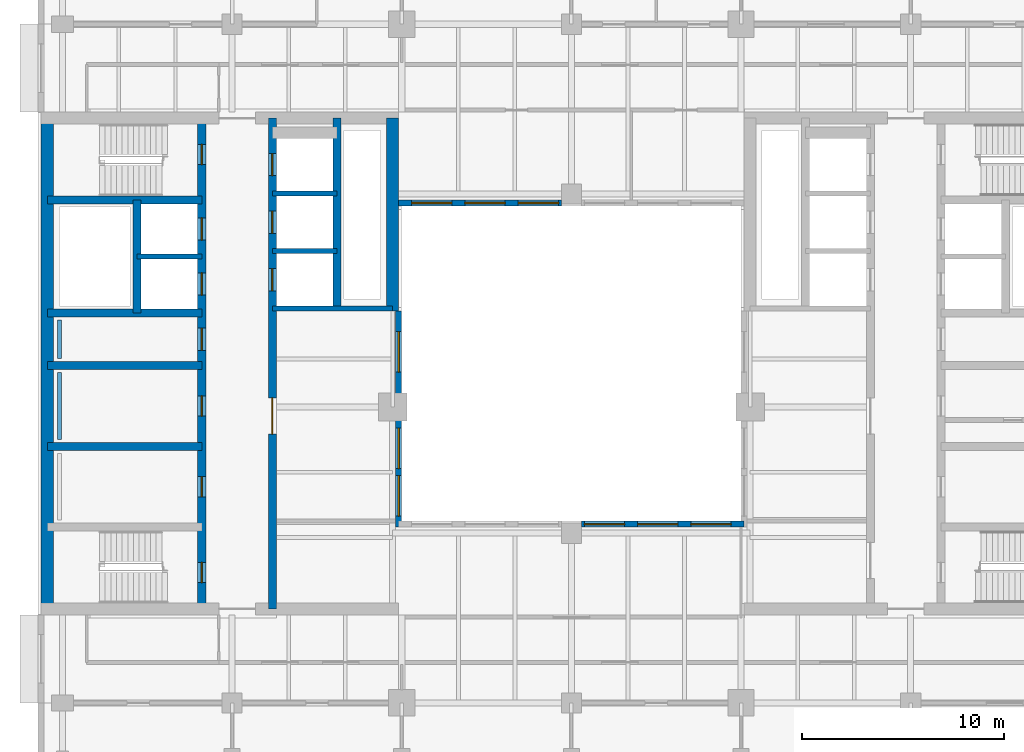
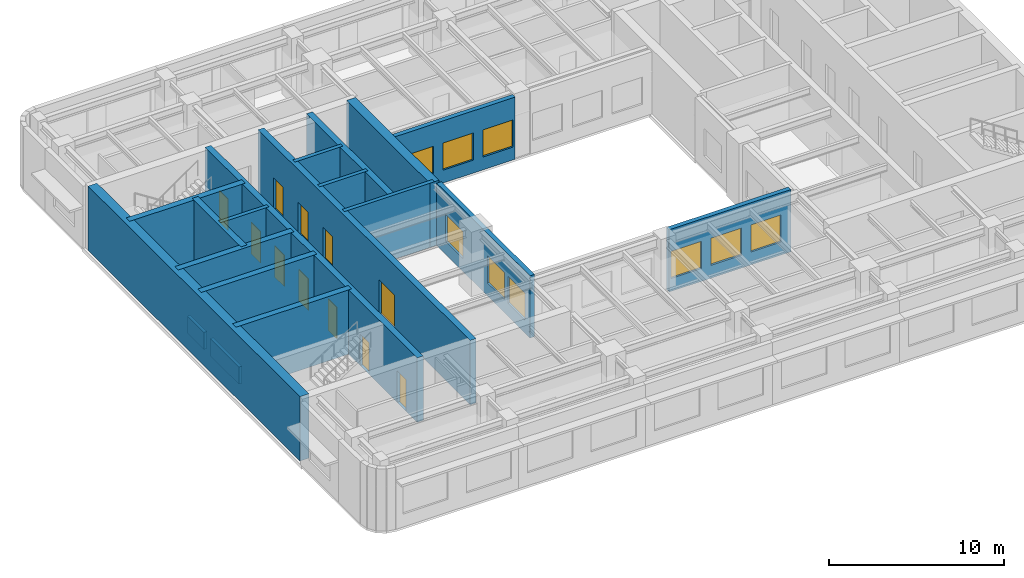
# One storey, part 4 of 11: 19 walls, 11 doors, 9 windows, 20 openings.
"""IFC4 building model written with IfcOpenShell, lengths in metres."""

from ifc_helpers import new_model, si_unit, direction, frame, frame_2d, origin, place, context, subcontext, project, spatial, rectangle, extrude, material, layer, layer_set, type_object, element, fill, save


model = new_model("IFC4")

# Units and contexts
model_context = context("Model", 3, precision=1e-05, world=origin(), true_north=direction((0.0, 1.0)))
body_context = subcontext(model_context, "Body", "Model", "MODEL_VIEW")
ifc_project = project(units=[si_unit("LENGTHUNIT", "METRE"), si_unit("AREAUNIT", "SQUARE_METRE"), si_unit("VOLUMEUNIT", "CUBIC_METRE"), si_unit("PLANEANGLEUNIT", "RADIAN"), si_unit("MASSUNIT", "GRAM", prefix="KILO")], contexts=[model_context])

# Site, building, storey
site_placement = place(None, origin())
site = spatial("IfcSite", under=ifc_project, at=site_placement, CompositionType="ELEMENT")
building_placement = place(site_placement, origin())
building = spatial("IfcBuilding", under=site, at=building_placement, Name="Claustro Exchange Tower", CompositionType="ELEMENT")
storey_placement = place(building_placement, frame((0.0, 0.0, 272.699951171875)))
storey = spatial("IfcBuildingStorey", under=building, at=storey_placement, Name="L62", CompositionType="ELEMENT", Elevation=272.699951171875)

# Wall, openings, windows
ifc_material_1 = material(Name="Concrete HA-40 (C40/50), precast, white cement, acid-etched", Category="concrete")
ifc_layer_1 = layer(ifc_material_1, 0.300048828125)
ifc_layer_set_1 = layer_set([ifc_layer_1], Name="Concrete HA-40 (C40/50), precast, white cement, acid-etched")
wall_type_1 = type_object("IfcWallType", Name="PC1 300 precast concrete pier panel", PredefinedType="SOLIDWALL", material=ifc_layer_set_1)
wall_1_placement = place(storey_placement, frame((16.64990234375, 17.10009765625, 0.0), z_axis=(0.0, 0.0, 1.0), x_axis=(0.0, 1.0, 0.0)))
wall_1 = element("IfcWall", 1, at=wall_1_placement, inside=storey, type_object=wall_type_1, Name="Precast pier panel PC1 L62", PredefinedType="SOLIDWALL", context=body_context, shape_type="SweptSolid", body=[
    extrude(rectangle(XDim=10.699951171875, YDim=0.300048828125, at=frame_2d((5.35009765625, 0.0))), origin(), (0.0, 0.0, 1.0), 4.35009765625),
])
opening_1_placement = place(wall_1_placement, frame((0.550048828125, 0.0, 0.89990234375)))
opening_1 = element("IfcOpeningElement", 2, at=opening_1_placement, cuts=wall_1, Name="Opening W4", PredefinedType="OPENING", context=body_context, shape_type="SweptSolid", body=[
    extrude(rectangle(XDim=2.0, YDim=1.89990234375, at=frame_2d((1.0, 0.949951171875))), frame((0.0, 0.159912109375, 0.0), z_axis=(0.0, -1.0, 0.0), x_axis=(1.0, 0.0, 0.0)), (0.0, 0.0, 1.0), 0.320068359375),
])
opening_2_placement = place(wall_1_placement, frame((2.89990234375, 0.0, 0.89990234375)))
opening_2 = element("IfcOpeningElement", 3, at=opening_2_placement, cuts=wall_1, Name="Opening W4", PredefinedType="OPENING", context=body_context, shape_type="SweptSolid", body=[
    extrude(rectangle(XDim=2.0, YDim=1.89990234375, at=frame_2d((1.0, 0.949951171875))), frame((0.0, 0.159912109375, 0.0), z_axis=(0.0, -1.0, 0.0), x_axis=(1.0, 0.0, 0.0)), (0.0, 0.0, 1.0), 0.320068359375),
])
opening_3_placement = place(wall_1_placement, frame((7.675048828125, 0.0, 0.89990234375)))
opening_3 = element("IfcOpeningElement", 4, at=opening_3_placement, cuts=wall_1, Name="Opening W4", PredefinedType="OPENING", context=body_context, shape_type="SweptSolid", body=[
    extrude(rectangle(XDim=2.0, YDim=1.89990234375, at=frame_2d((1.0, 0.949951171875))), frame((0.0, 0.159912109375, 0.0), z_axis=(0.0, -1.0, 0.0), x_axis=(1.0, 0.0, 0.0)), (0.0, 0.0, 1.0), 0.320068359375),
])
ifc_material_2 = material(Name="Aluminium frame, clear double glazing", Category="aluminium")
window_type = type_object("IfcWindowType", Name="W4 2000 x 1900 light well window", PartitioningType="SINGLE_PANEL", PredefinedType="WINDOW", material=ifc_material_2)
window_1_placement = place(opening_1_placement, origin())
window_1 = element("IfcWindow", 5, at=window_1_placement, inside=storey, type_object=window_type, Name="Window W4 L62", OverallHeight=1.89990234375, OverallWidth=2.0, PartitioningType="SINGLE_PANEL", PredefinedType="WINDOW", context=body_context, shape_type="SweptSolid", body=[
    extrude(rectangle(XDim=2.0, YDim=1.89990234375, at=frame_2d((1.0, 0.949951171875))), frame((0.0, 0.030029296875, 0.0), z_axis=(0.0, -1.0, 0.0), x_axis=(1.0, 0.0, 0.0)), (0.0, 0.0, 1.0), 0.06005859375),
])
fill(opening_1, window_1)
window_2_placement = place(opening_2_placement, origin())
window_2 = element("IfcWindow", 6, at=window_2_placement, inside=storey, type_object=window_type, Name="Window W4 L62", OverallHeight=1.89990234375, OverallWidth=2.0, PartitioningType="SINGLE_PANEL", PredefinedType="WINDOW", context=body_context, shape_type="SweptSolid", body=[
    extrude(rectangle(XDim=2.0, YDim=1.89990234375, at=frame_2d((1.0, 0.949951171875))), frame((0.0, 0.030029296875, 0.0), z_axis=(0.0, -1.0, 0.0), x_axis=(1.0, 0.0, 0.0)), (0.0, 0.0, 1.0), 0.06005859375),
])
fill(opening_2, window_2)
window_3_placement = place(opening_3_placement, origin())
window_3 = element("IfcWindow", 7, at=window_3_placement, inside=storey, type_object=window_type, Name="Window W4 L62", OverallHeight=1.89990234375, OverallWidth=2.0, PartitioningType="SINGLE_PANEL", PredefinedType="WINDOW", context=body_context, shape_type="SweptSolid", body=[
    extrude(rectangle(XDim=2.0, YDim=1.89990234375, at=frame_2d((1.0, 0.949951171875))), frame((0.0, 0.030029296875, 0.0), z_axis=(0.0, -1.0, 0.0), x_axis=(1.0, 0.0, 0.0)), (0.0, 0.0, 1.0), 0.06005859375),
])
fill(opening_3, window_3)

wall_2_placement = place(storey_placement, frame((25.699951171875, 17.25, 0.0), z_axis=(0.0, 0.0, 1.0), x_axis=(1.0, 0.0, 0.0)))
wall_2 = element("IfcWall", 8, at=wall_2_placement, inside=storey, type_object=wall_type_1, Name="Precast pier panel PC1 L62", PredefinedType="SOLIDWALL", context=body_context, shape_type="SweptSolid", body=[
    extrude(rectangle(XDim=8.050048828125, YDim=0.300048828125, at=frame_2d((4.02490234375, 0.0))), origin(), (0.0, 0.0, 1.0), 4.35009765625),
])
opening_4_placement = place(wall_2_placement, frame((0.137451171875, 0.0, 0.89990234375)))
opening_4 = element("IfcOpeningElement", 9, at=opening_4_placement, cuts=wall_2, Name="Opening W4", PredefinedType="OPENING", context=body_context, shape_type="SweptSolid", body=[
    extrude(rectangle(XDim=2.0, YDim=1.89990234375, at=frame_2d((1.0, 0.949951171875))), frame((0.0, 0.159912109375, 0.0), z_axis=(0.0, -1.0, 0.0), x_axis=(1.0, 0.0, 0.0)), (0.0, 0.0, 1.0), 0.320068359375),
])
opening_5_placement = place(wall_2_placement, frame((2.77490234375, 0.0, 0.89990234375)))
opening_5 = element("IfcOpeningElement", 10, at=opening_5_placement, cuts=wall_2, Name="Opening W4", PredefinedType="OPENING", context=body_context, shape_type="SweptSolid", body=[
    extrude(rectangle(XDim=2.0, YDim=1.89990234375, at=frame_2d((1.0, 0.949951171875))), frame((0.0, 0.159912109375, 0.0), z_axis=(0.0, -1.0, 0.0), x_axis=(1.0, 0.0, 0.0)), (0.0, 0.0, 1.0), 0.320068359375),
])
opening_6_placement = place(wall_2_placement, frame((5.41259765625, 0.0, 0.89990234375)))
opening_6 = element("IfcOpeningElement", 11, at=opening_6_placement, cuts=wall_2, Name="Opening W4", PredefinedType="OPENING", context=body_context, shape_type="SweptSolid", body=[
    extrude(rectangle(XDim=2.0, YDim=1.89990234375, at=frame_2d((1.0, 0.949951171875))), frame((0.0, 0.159912109375, 0.0), z_axis=(0.0, -1.0, 0.0), x_axis=(1.0, 0.0, 0.0)), (0.0, 0.0, 1.0), 0.320068359375),
])
window_4_placement = place(opening_4_placement, origin())
window_4 = element("IfcWindow", 12, at=window_4_placement, inside=storey, type_object=window_type, Name="Window W4 L62", OverallHeight=1.89990234375, OverallWidth=2.0, PartitioningType="SINGLE_PANEL", PredefinedType="WINDOW", context=body_context, shape_type="SweptSolid", body=[
    extrude(rectangle(XDim=2.0, YDim=1.89990234375, at=frame_2d((1.0, 0.949951171875))), frame((0.0, 0.030029296875, 0.0), z_axis=(0.0, -1.0, 0.0), x_axis=(1.0, 0.0, 0.0)), (0.0, 0.0, 1.0), 0.06005859375),
])
fill(opening_4, window_4)
window_5_placement = place(opening_5_placement, origin())
window_5 = element("IfcWindow", 13, at=window_5_placement, inside=storey, type_object=window_type, Name="Window W4 L62", OverallHeight=1.89990234375, OverallWidth=2.0, PartitioningType="SINGLE_PANEL", PredefinedType="WINDOW", context=body_context, shape_type="SweptSolid", body=[
    extrude(rectangle(XDim=2.0, YDim=1.89990234375, at=frame_2d((1.0, 0.949951171875))), frame((0.0, 0.030029296875, 0.0), z_axis=(0.0, -1.0, 0.0), x_axis=(1.0, 0.0, 0.0)), (0.0, 0.0, 1.0), 0.06005859375),
])
fill(opening_5, window_5)
window_6_placement = place(opening_6_placement, origin())
window_6 = element("IfcWindow", 14, at=window_6_placement, inside=storey, type_object=window_type, Name="Window W4 L62", OverallHeight=1.89990234375, OverallWidth=2.0, PartitioningType="SINGLE_PANEL", PredefinedType="WINDOW", context=body_context, shape_type="SweptSolid", body=[
    extrude(rectangle(XDim=2.0, YDim=1.89990234375, at=frame_2d((1.0, 0.949951171875))), frame((0.0, 0.030029296875, 0.0), z_axis=(0.0, -1.0, 0.0), x_axis=(1.0, 0.0, 0.0)), (0.0, 0.0, 1.0), 0.06005859375),
])
fill(opening_6, window_6)

wall_3_placement = place(storey_placement, frame((16.64990234375, 33.14990234375, 0.0), z_axis=(0.0, 0.0, 1.0), x_axis=(1.0, 0.0, 0.0)))
wall_3 = element("IfcWall", 15, at=wall_3_placement, inside=storey, type_object=wall_type_1, Name="Precast pier panel PC1 L62", PredefinedType="SOLIDWALL", context=body_context, shape_type="SweptSolid", body=[
    extrude(rectangle(XDim=8.050048828125, YDim=0.300048828125, at=frame_2d((4.02490234375, 0.0))), origin(), (0.0, 0.0, 1.0), 4.35009765625),
])
opening_7_placement = place(wall_3_placement, frame((0.637451171875, 0.0, 0.89990234375)))
opening_7 = element("IfcOpeningElement", 16, at=opening_7_placement, cuts=wall_3, Name="Opening W4", PredefinedType="OPENING", context=body_context, shape_type="SweptSolid", body=[
    extrude(rectangle(XDim=2.0, YDim=1.89990234375, at=frame_2d((1.0, 0.949951171875))), frame((0.0, 0.159912109375, 0.0), z_axis=(0.0, -1.0, 0.0), x_axis=(1.0, 0.0, 0.0)), (0.0, 0.0, 1.0), 0.320068359375),
])
opening_8_placement = place(wall_3_placement, frame((3.27490234375, 0.0, 0.89990234375)))
opening_8 = element("IfcOpeningElement", 17, at=opening_8_placement, cuts=wall_3, Name="Opening W4", PredefinedType="OPENING", context=body_context, shape_type="SweptSolid", body=[
    extrude(rectangle(XDim=2.0, YDim=1.89990234375, at=frame_2d((1.0, 0.949951171875))), frame((0.0, 0.159912109375, 0.0), z_axis=(0.0, -1.0, 0.0), x_axis=(1.0, 0.0, 0.0)), (0.0, 0.0, 1.0), 0.320068359375),
])
opening_9_placement = place(wall_3_placement, frame((5.91259765625, 0.0, 0.89990234375)))
opening_9 = element("IfcOpeningElement", 18, at=opening_9_placement, cuts=wall_3, Name="Opening W4", PredefinedType="OPENING", context=body_context, shape_type="SweptSolid", body=[
    extrude(rectangle(XDim=2.0, YDim=1.89990234375, at=frame_2d((1.0, 0.949951171875))), frame((0.0, 0.159912109375, 0.0), z_axis=(0.0, -1.0, 0.0), x_axis=(1.0, 0.0, 0.0)), (0.0, 0.0, 1.0), 0.320068359375),
])
window_7_placement = place(opening_7_placement, origin())
window_7 = element("IfcWindow", 19, at=window_7_placement, inside=storey, type_object=window_type, Name="Window W4 L62", OverallHeight=1.89990234375, OverallWidth=2.0, PartitioningType="SINGLE_PANEL", PredefinedType="WINDOW", context=body_context, shape_type="SweptSolid", body=[
    extrude(rectangle(XDim=2.0, YDim=1.89990234375, at=frame_2d((1.0, 0.949951171875))), frame((0.0, 0.030029296875, 0.0), z_axis=(0.0, -1.0, 0.0), x_axis=(1.0, 0.0, 0.0)), (0.0, 0.0, 1.0), 0.06005859375),
])
fill(opening_7, window_7)
window_8_placement = place(opening_8_placement, origin())
window_8 = element("IfcWindow", 20, at=window_8_placement, inside=storey, type_object=window_type, Name="Window W4 L62", OverallHeight=1.89990234375, OverallWidth=2.0, PartitioningType="SINGLE_PANEL", PredefinedType="WINDOW", context=body_context, shape_type="SweptSolid", body=[
    extrude(rectangle(XDim=2.0, YDim=1.89990234375, at=frame_2d((1.0, 0.949951171875))), frame((0.0, 0.030029296875, 0.0), z_axis=(0.0, -1.0, 0.0), x_axis=(1.0, 0.0, 0.0)), (0.0, 0.0, 1.0), 0.06005859375),
])
fill(opening_8, window_8)
window_9_placement = place(opening_9_placement, origin())
window_9 = element("IfcWindow", 21, at=window_9_placement, inside=storey, type_object=window_type, Name="Window W4 L62", OverallHeight=1.89990234375, OverallWidth=2.0, PartitioningType="SINGLE_PANEL", PredefinedType="WINDOW", context=body_context, shape_type="SweptSolid", body=[
    extrude(rectangle(XDim=2.0, YDim=1.89990234375, at=frame_2d((1.0, 0.949951171875))), frame((0.0, 0.030029296875, 0.0), z_axis=(0.0, -1.0, 0.0), x_axis=(1.0, 0.0, 0.0)), (0.0, 0.0, 1.0), 0.06005859375),
])
fill(opening_9, window_9)

# Walls
ifc_material_3 = material(Name="Gypsum board on steel studs, tiled", Category="steel")
ifc_layer_2 = layer(ifc_material_3, 0.199951171875)
ifc_layer_set_2 = layer_set([ifc_layer_2], Name="Gypsum board on steel studs, tiled")
wall_type_2 = type_object("IfcWallType", Name="PW1 200 WC duct wall", PredefinedType="PLUMBINGWALL", material=ifc_layer_set_2)
wall_4_placement = place(storey_placement, frame((-0.14990234375, 21.449951171875, 0.0), z_axis=(0.0, 0.0, 1.0), x_axis=(0.0, 1.0, 0.0)))
element("IfcWall", 22, at=wall_4_placement, inside=storey, type_object=wall_type_2, Name="WC duct wall PW1 L62", PredefinedType="PLUMBINGWALL", context=body_context, shape_type="SweptSolid", body=[
    extrude(rectangle(XDim=3.300048828125, YDim=0.199951171875, at=frame_2d((1.64990234375, 0.0))), origin(), (0.0, 0.0, 1.0), 1.199951171875),
])
wall_5_placement = place(storey_placement, frame((-0.14990234375, 25.449951171875, 0.0), z_axis=(0.0, 0.0, 1.0), x_axis=(0.0, 1.0, 0.0)))
element("IfcWall", 23, at=wall_5_placement, inside=storey, type_object=wall_type_2, Name="WC duct wall PW1 L62", PredefinedType="PLUMBINGWALL", context=body_context, shape_type="SweptSolid", body=[
    extrude(rectangle(XDim=1.900146484375, YDim=0.199951171875, at=frame_2d((0.9501953125, 0.0))), origin(), (0.0, 0.0, 1.0), 1.199951171875),
])
ifc_material_4 = material(Name="Concrete HA-50 (C50/60)", Category="concrete")
ifc_layer_3 = layer(ifc_material_4, 0.60009765625)
ifc_layer_set_3 = layer_set([ifc_layer_3], Name="Concrete HA-50 (C50/60)")
wall_type_3 = type_object("IfcWallType", Name="SW3X 600 exposed core shear wall, board-marked face", PredefinedType="SHEAR", material=ifc_layer_set_3)
wall_6_placement = place(storey_placement, frame((-0.75, 13.050048828125, 0.0), z_axis=(0.0, 0.0, 1.0), x_axis=(0.0, 1.0, 0.0)))
element("IfcWall", 24, at=wall_6_placement, inside=storey, type_object=wall_type_3, Name="Core wall SW3X W core W face L62", PredefinedType="SHEAR", context=body_context, shape_type="SweptSolid", body=[
    extrude(rectangle(XDim=24.300048828125, YDim=0.60009765625, at=frame_2d((12.14990234375, 0.0))), origin(), (0.0, 0.0, 1.0), 4.5),
])
wall_7_placement = place(storey_placement, frame((16.35009765625, 27.800048828125, 0.0), z_axis=(0.0, 0.0, 1.0), x_axis=(0.0, 1.0, 0.0)))
element("IfcWall", 25, at=wall_7_placement, inside=storey, type_object=wall_type_3, Name="Core wall SW3X W core E face L62", PredefinedType="SHEAR", context=body_context, shape_type="SweptSolid", body=[
    extrude(rectangle(XDim=9.550048828125, YDim=0.60009765625, at=frame_2d((4.77490234375, 0.0))), origin(), (0.0, 0.0, 1.0), 4.5),
])

# Wall, openings, doors
ifc_material_5 = material(Name="Concrete HA-50 (C50/60)", Category="concrete")
ifc_layer_4 = layer(ifc_material_5, 0.39990234375)
ifc_layer_set_4 = layer_set([ifc_layer_4], Name="Concrete HA-50 (C50/60)")
wall_type_4 = type_object("IfcWallType", Name="SW4 400 internal core wall", PredefinedType="SHEAR", material=ifc_layer_set_4)
wall_8_placement = place(storey_placement, frame((6.89990234375, 13.050048828125, 0.0), z_axis=(0.0, 0.0, 1.0), x_axis=(0.0, 1.0, 0.0)))
wall_8 = element("IfcWall", 26, at=wall_8_placement, inside=storey, type_object=wall_type_4, Name="Internal core wall SW4 W core L62", PredefinedType="SHEAR", context=body_context, shape_type="SweptSolid", body=[
    extrude(rectangle(XDim=24.300048828125, YDim=0.39990234375, at=frame_2d((12.14990234375, 0.0))), origin(), (0.0, 0.0, 1.0), 4.5),
])
opening_10_placement = place(wall_8_placement, frame((1.300048828125, 0.0, 0.0)))
opening_10 = element("IfcOpeningElement", 27, at=opening_10_placement, cuts=wall_8, Name="Opening D4", PredefinedType="OPENING", context=body_context, shape_type="SweptSolid", body=[
    extrude(rectangle(XDim=1.0, YDim=2.199951171875, at=frame_2d((0.5, 1.10009765625))), frame((0.0, 0.2099609375, 0.0), z_axis=(0.0, -1.0, 0.0), x_axis=(1.0, 0.0, 0.0)), (0.0, 0.0, 1.0), 0.419921875),
])
opening_11_placement = place(wall_8_placement, frame((22.0, 0.0, 0.0)))
opening_11 = element("IfcOpeningElement", 28, at=opening_11_placement, cuts=wall_8, Name="Opening D4", PredefinedType="OPENING", context=body_context, shape_type="SweptSolid", body=[
    extrude(rectangle(XDim=1.0, YDim=2.199951171875, at=frame_2d((0.5, 1.10009765625))), frame((0.0, 0.2099609375, 0.0), z_axis=(0.0, -1.0, 0.0), x_axis=(1.0, 0.0, 0.0)), (0.0, 0.0, 1.0), 0.419921875),
])
opening_12_placement = place(wall_8_placement, frame((5.550048828125, 0.0, 0.0)))
opening_12 = element("IfcOpeningElement", 29, at=opening_12_placement, cuts=wall_8, Name="Opening D1", PredefinedType="OPENING", context=body_context, shape_type="SweptSolid", body=[
    extrude(rectangle(XDim=1.0, YDim=2.199951171875, at=frame_2d((0.5, 1.10009765625))), frame((0.0, 0.2099609375, 0.0), z_axis=(0.0, -1.0, 0.0), x_axis=(1.0, 0.0, 0.0)), (0.0, 0.0, 1.0), 0.419921875),
])
opening_13_placement = place(wall_8_placement, frame((9.550048828125, 0.0, 0.0)))
opening_13 = element("IfcOpeningElement", 30, at=opening_13_placement, cuts=wall_8, Name="Opening D1", PredefinedType="OPENING", context=body_context, shape_type="SweptSolid", body=[
    extrude(rectangle(XDim=1.0, YDim=2.199951171875, at=frame_2d((0.5, 1.10009765625))), frame((0.0, 0.2099609375, 0.0), z_axis=(0.0, -1.0, 0.0), x_axis=(1.0, 0.0, 0.0)), (0.0, 0.0, 1.0), 0.419921875),
])
opening_14_placement = place(wall_8_placement, frame((12.800048828125, 0.0, 0.0)))
opening_14 = element("IfcOpeningElement", 31, at=opening_14_placement, cuts=wall_8, Name="Opening D10", PredefinedType="OPENING", context=body_context, shape_type="SweptSolid", body=[
    extrude(rectangle(XDim=1.10009765625, YDim=2.199951171875, at=frame_2d((0.550048828125, 1.10009765625))), frame((0.0, 0.2099609375, 0.0), z_axis=(0.0, -1.0, 0.0), x_axis=(1.0, 0.0, 0.0)), (0.0, 0.0, 1.0), 0.419921875),
])
opening_15_placement = place(wall_8_placement, frame((15.53759765625, 0.0, 0.0)))
opening_15 = element("IfcOpeningElement", 32, at=opening_15_placement, cuts=wall_8, Name="Opening LD", PredefinedType="OPENING", context=body_context, shape_type="SweptSolid", body=[
    extrude(rectangle(XDim=1.10009765625, YDim=2.199951171875, at=frame_2d((0.550048828125, 1.10009765625))), frame((0.0, 0.2099609375, 0.0), z_axis=(0.0, -1.0, 0.0), x_axis=(1.0, 0.0, 0.0)), (0.0, 0.0, 1.0), 0.419921875),
])
opening_16_placement = place(wall_8_placement, frame((18.262451171875, 0.0, 0.0)))
opening_16 = element("IfcOpeningElement", 33, at=opening_16_placement, cuts=wall_8, Name="Opening LD", PredefinedType="OPENING", context=body_context, shape_type="SweptSolid", body=[
    extrude(rectangle(XDim=1.10009765625, YDim=2.199951171875, at=frame_2d((0.550048828125, 1.10009765625))), frame((0.0, 0.2099609375, 0.0), z_axis=(0.0, -1.0, 0.0), x_axis=(1.0, 0.0, 0.0)), (0.0, 0.0, 1.0), 0.419921875),
])
ifc_material_6 = material(Name="Timber door, oak veneer", Category="wood")
door_type_1 = type_object("IfcDoorType", Name="D1 1000 x 2200 single door", OperationType="SINGLE_SWING_LEFT", PredefinedType="DOOR", material=ifc_material_6)
door_1_placement = place(opening_12_placement, origin())
door_1 = element("IfcDoor", 34, at=door_1_placement, inside=storey, type_object=door_type_1, Name="Door D1 L62", OperationType="SINGLE_SWING_RIGHT", OverallHeight=2.199951171875, OverallWidth=1.0, PredefinedType="DOOR", context=body_context, shape_type="SweptSolid", body=[
    extrude(rectangle(XDim=1.0, YDim=2.199951171875, at=frame_2d((0.5, 1.10009765625))), frame((0.0, 0.02490234375, 0.0), z_axis=(0.0, -1.0, 0.0), x_axis=(1.0, 0.0, 0.0)), (0.0, 0.0, 1.0), 0.050048828125),
])
fill(opening_12, door_1)
door_2_placement = place(opening_13_placement, origin())
door_2 = element("IfcDoor", 35, at=door_2_placement, inside=storey, type_object=door_type_1, Name="Door D1 L62", OperationType="SINGLE_SWING_RIGHT", OverallHeight=2.199951171875, OverallWidth=1.0, PredefinedType="DOOR", context=body_context, shape_type="SweptSolid", body=[
    extrude(rectangle(XDim=1.0, YDim=2.199951171875, at=frame_2d((0.5, 1.10009765625))), frame((0.0, 0.02490234375, 0.0), z_axis=(0.0, -1.0, 0.0), x_axis=(1.0, 0.0, 0.0)), (0.0, 0.0, 1.0), 0.050048828125),
])
fill(opening_13, door_2)
ifc_material_7 = material(Name="Timber door, oak veneer", Category="wood")
door_type_2 = type_object("IfcDoorType", Name="D10 1100 x 2200 accessible WC door", OperationType="SINGLE_SWING_LEFT", PredefinedType="DOOR", material=ifc_material_7)
door_3_placement = place(opening_14_placement, frame((1.10009765625, 0.0, 0.0), z_axis=(0.0, 0.0, 1.0), x_axis=(-1.0, 0.0, 0.0)))
door_3 = element("IfcDoor", 36, at=door_3_placement, inside=storey, type_object=door_type_2, Name="Accessible WC door D10 L62", OperationType="SINGLE_SWING_LEFT", OverallHeight=2.199951171875, OverallWidth=1.10009765625, PredefinedType="DOOR", context=body_context, shape_type="SweptSolid", body=[
    extrude(rectangle(XDim=1.10009765625, YDim=2.199951171875, at=frame_2d((0.550048828125, 1.10009765625))), frame((0.0, 0.02490234375, 0.0), z_axis=(0.0, -1.0, 0.0), x_axis=(1.0, 0.0, 0.0)), (0.0, 0.0, 1.0), 0.050048828125),
])
fill(opening_14, door_3)
ifc_material_8 = material(Name="Steel fire door, painted", Category="steel")
door_type_3 = type_object("IfcDoorType", Name="D4 1000 x 2200 fire-rated stair door", OperationType="SINGLE_SWING_LEFT", PredefinedType="DOOR", material=ifc_material_8)
door_4_placement = place(opening_10_placement, origin())
door_4 = element("IfcDoor", 37, at=door_4_placement, inside=storey, type_object=door_type_3, Name="Stair door D4 L62", OperationType="SINGLE_SWING_LEFT", OverallHeight=2.199951171875, OverallWidth=1.0, PredefinedType="DOOR", context=body_context, shape_type="SweptSolid", body=[
    extrude(rectangle(XDim=1.0, YDim=2.199951171875, at=frame_2d((0.5, 1.10009765625))), frame((0.0, 0.02490234375, 0.0), z_axis=(0.0, -1.0, 0.0), x_axis=(1.0, 0.0, 0.0)), (0.0, 0.0, 1.0), 0.050048828125),
])
fill(opening_10, door_4)
door_5_placement = place(opening_11_placement, origin())
door_5 = element("IfcDoor", 38, at=door_5_placement, inside=storey, type_object=door_type_3, Name="Stair door D4 L62", OperationType="SINGLE_SWING_RIGHT", OverallHeight=2.199951171875, OverallWidth=1.0, PredefinedType="DOOR", context=body_context, shape_type="SweptSolid", body=[
    extrude(rectangle(XDim=1.0, YDim=2.199951171875, at=frame_2d((0.5, 1.10009765625))), frame((0.0, 0.02490234375, 0.0), z_axis=(0.0, -1.0, 0.0), x_axis=(1.0, 0.0, 0.0)), (0.0, 0.0, 1.0), 0.050048828125),
])
fill(opening_11, door_5)
ifc_material_9 = material(Name="Stainless steel sliding door", Category="steel")
door_type_4 = type_object("IfcDoorType", Name="LD 1100 x 2200 lift landing door", OperationType="DOUBLE_DOOR_SLIDING", PredefinedType="DOOR", material=ifc_material_9)
door_6_placement = place(opening_15_placement, origin())
door_6 = element("IfcDoor", 39, at=door_6_placement, inside=storey, type_object=door_type_4, Name="Lift landing door LEW1 LD L62", OperationType="DOUBLE_DOOR_SLIDING", OverallHeight=2.199951171875, OverallWidth=1.10009765625, PredefinedType="DOOR", context=body_context, shape_type="SweptSolid", body=[
    extrude(rectangle(XDim=1.10009765625, YDim=2.199951171875, at=frame_2d((0.550048828125, 1.10009765625))), frame((0.0, 0.02490234375, 0.0), z_axis=(0.0, -1.0, 0.0), x_axis=(1.0, 0.0, 0.0)), (0.0, 0.0, 1.0), 0.050048828125),
])
fill(opening_15, door_6)
door_7_placement = place(opening_16_placement, origin())
door_7 = element("IfcDoor", 40, at=door_7_placement, inside=storey, type_object=door_type_4, Name="Lift landing door LEW2 LD L62", OperationType="DOUBLE_DOOR_SLIDING", OverallHeight=2.199951171875, OverallWidth=1.10009765625, PredefinedType="DOOR", context=body_context, shape_type="SweptSolid", body=[
    extrude(rectangle(XDim=1.10009765625, YDim=2.199951171875, at=frame_2d((0.550048828125, 1.10009765625))), frame((0.0, 0.02490234375, 0.0), z_axis=(0.0, -1.0, 0.0), x_axis=(1.0, 0.0, 0.0)), (0.0, 0.0, 1.0), 0.050048828125),
])
fill(opening_16, door_7)

wall_9_placement = place(storey_placement, frame((10.39990234375, 13.050048828125, 0.0), z_axis=(0.0, 0.0, 1.0), x_axis=(0.0, 1.0, 0.0)))
wall_9 = element("IfcWall", 41, at=wall_9_placement, inside=storey, type_object=wall_type_4, Name="Internal core wall SW4 W core L62", PredefinedType="SHEAR", context=body_context, shape_type="SweptSolid", body=[
    extrude(rectangle(XDim=24.300048828125, YDim=0.39990234375, at=frame_2d((12.14990234375, 0.0))), origin(), (0.0, 0.0, 1.0), 4.5),
])
opening_17_placement = place(wall_9_placement, frame((15.75, 0.0, 0.0)))
opening_17 = element("IfcOpeningElement", 42, at=opening_17_placement, cuts=wall_9, Name="Opening LD", PredefinedType="OPENING", context=body_context, shape_type="SweptSolid", body=[
    extrude(rectangle(XDim=1.10009765625, YDim=2.199951171875, at=frame_2d((0.550048828125, 1.10009765625))), frame((0.0, 0.2099609375, 0.0), z_axis=(0.0, -1.0, 0.0), x_axis=(1.0, 0.0, 0.0)), (0.0, 0.0, 1.0), 0.419921875),
])
opening_18_placement = place(wall_9_placement, frame((18.60009765625, 0.0, 0.0)))
opening_18 = element("IfcOpeningElement", 43, at=opening_18_placement, cuts=wall_9, Name="Opening LD", PredefinedType="OPENING", context=body_context, shape_type="SweptSolid", body=[
    extrude(rectangle(XDim=1.10009765625, YDim=2.199951171875, at=frame_2d((0.550048828125, 1.10009765625))), frame((0.0, 0.2099609375, 0.0), z_axis=(0.0, -1.0, 0.0), x_axis=(1.0, 0.0, 0.0)), (0.0, 0.0, 1.0), 0.419921875),
])
opening_19_placement = place(wall_9_placement, frame((21.449951171875, 0.0, 0.0)))
opening_19 = element("IfcOpeningElement", 44, at=opening_19_placement, cuts=wall_9, Name="Opening LD", PredefinedType="OPENING", context=body_context, shape_type="SweptSolid", body=[
    extrude(rectangle(XDim=1.10009765625, YDim=2.199951171875, at=frame_2d((0.550048828125, 1.10009765625))), frame((0.0, 0.2099609375, 0.0), z_axis=(0.0, -1.0, 0.0), x_axis=(1.0, 0.0, 0.0)), (0.0, 0.0, 1.0), 0.419921875),
])
opening_20_placement = place(wall_9_placement, frame((8.64990234375, 0.0, 0.0)))
opening_20 = element("IfcOpeningElement", 45, at=opening_20_placement, cuts=wall_9, Name="Opening D3", PredefinedType="OPENING", context=body_context, shape_type="SweptSolid", body=[
    extrude(rectangle(XDim=1.800048828125, YDim=2.39990234375, at=frame_2d((0.89990234375, 1.199951171875))), frame((0.0, 0.2099609375, 0.0), z_axis=(0.0, -1.0, 0.0), x_axis=(1.0, 0.0, 0.0)), (0.0, 0.0, 1.0), 0.419921875),
])
ifc_material_10 = material(Name="Steel fire door, painted", Category="steel")
door_type_5 = type_object("IfcDoorType", Name="D3 1800 x 2400 fire-rated lobby double door", OperationType="DOUBLE_DOOR_SINGLE_SWING", PredefinedType="DOOR", material=ifc_material_10)
door_8_placement = place(opening_20_placement, frame((1.800048828125, 0.0, 0.0), z_axis=(0.0, 0.0, 1.0), x_axis=(-1.0, 0.0, 0.0)))
door_8 = element("IfcDoor", 46, at=door_8_placement, inside=storey, type_object=door_type_5, Name="Core zone door D3 L62", OperationType="DOUBLE_DOOR_SINGLE_SWING", OverallHeight=2.39990234375, OverallWidth=1.800048828125, PredefinedType="DOOR", context=body_context, shape_type="SweptSolid", body=[
    extrude(rectangle(XDim=1.800048828125, YDim=2.39990234375, at=frame_2d((0.89990234375, 1.199951171875))), frame((0.0, 0.02490234375, 0.0), z_axis=(0.0, -1.0, 0.0), x_axis=(1.0, 0.0, 0.0)), (0.0, 0.0, 1.0), 0.050048828125),
])
fill(opening_20, door_8)
door_9_placement = place(opening_17_placement, origin())
door_9 = element("IfcDoor", 47, at=door_9_placement, inside=storey, type_object=door_type_4, Name="Lift landing door LHW1 LD L62", OperationType="DOUBLE_DOOR_SLIDING", OverallHeight=2.199951171875, OverallWidth=1.10009765625, PredefinedType="DOOR", context=body_context, shape_type="SweptSolid", body=[
    extrude(rectangle(XDim=1.10009765625, YDim=2.199951171875, at=frame_2d((0.550048828125, 1.10009765625))), frame((0.0, 0.02490234375, 0.0), z_axis=(0.0, -1.0, 0.0), x_axis=(1.0, 0.0, 0.0)), (0.0, 0.0, 1.0), 0.050048828125),
])
fill(opening_17, door_9)
door_10_placement = place(opening_18_placement, origin())
door_10 = element("IfcDoor", 48, at=door_10_placement, inside=storey, type_object=door_type_4, Name="Lift landing door LHW2 LD L62", OperationType="DOUBLE_DOOR_SLIDING", OverallHeight=2.199951171875, OverallWidth=1.10009765625, PredefinedType="DOOR", context=body_context, shape_type="SweptSolid", body=[
    extrude(rectangle(XDim=1.10009765625, YDim=2.199951171875, at=frame_2d((0.550048828125, 1.10009765625))), frame((0.0, 0.02490234375, 0.0), z_axis=(0.0, -1.0, 0.0), x_axis=(1.0, 0.0, 0.0)), (0.0, 0.0, 1.0), 0.050048828125),
])
fill(opening_18, door_10)
door_11_placement = place(opening_19_placement, origin())
door_11 = element("IfcDoor", 49, at=door_11_placement, inside=storey, type_object=door_type_4, Name="Lift landing door LSW1 LD L62", OperationType="DOUBLE_DOOR_SLIDING", OverallHeight=2.199951171875, OverallWidth=1.10009765625, PredefinedType="DOOR", context=body_context, shape_type="SweptSolid", body=[
    extrude(rectangle(XDim=1.10009765625, YDim=2.199951171875, at=frame_2d((0.550048828125, 1.10009765625))), frame((0.0, 0.02490234375, 0.0), z_axis=(0.0, -1.0, 0.0), x_axis=(1.0, 0.0, 0.0)), (0.0, 0.0, 1.0), 0.050048828125),
])
fill(opening_19, door_11)

# Walls
wall_10_placement = place(storey_placement, frame((13.60009765625, 27.925048828125, 0.0), z_axis=(0.0, 0.0, 1.0), x_axis=(0.0, 1.0, 0.0)))
element("IfcWall", 50, at=wall_10_placement, inside=storey, type_object=wall_type_4, Name="Internal core wall SW4 W core L62", PredefinedType="SHEAR", context=body_context, shape_type="SweptSolid", body=[
    extrude(rectangle(XDim=9.425048828125, YDim=0.39990234375, at=frame_2d((4.71240234375, 0.0))), origin(), (0.0, 0.0, 1.0), 4.5),
])
for number, where, z_axis, x_axis, name in (
    (51, (-0.75, 21.10009765625, 0.0), (0.0, 0.0, 1.0), (1.0, 0.0, 0.0), "Internal core wall SW4 W core L62"),
    (52, (-0.75, 25.10009765625, 0.0), (0.0, 0.0, 1.0), (1.0, 0.0, 0.0), "Internal core wall SW4 W core L62"),
    (53, (-0.75, 27.699951171875, 0.0), (0.0, 0.0, 1.0), (1.0, 0.0, 0.0), "Internal core wall SW4 W core L62"),
    (54, (-0.75, 33.300048828125, 0.0), (0.0, 0.0, 1.0), (1.0, 0.0, 0.0), "Internal core wall SW4 W core L62"),
):
    element("IfcWall", number, at=place(storey_placement, frame(where, z_axis=z_axis, x_axis=x_axis)), inside=storey, type_object=wall_type_4, Name=name, PredefinedType="SHEAR", context=body_context, shape_type="SweptSolid", body=[
        extrude(rectangle(XDim=7.64990234375, YDim=0.39990234375, at=frame_2d((3.824951171875, 0.0))), origin(), (0.0, 0.0, 1.0), 4.5),
    ])
wall_11_placement = place(storey_placement, frame((3.699951171875, 27.699951171875, 0.0), z_axis=(0.0, 0.0, 1.0), x_axis=(0.0, 1.0, 0.0)))
element("IfcWall", 55, at=wall_11_placement, inside=storey, type_object=wall_type_4, Name="Internal core wall SW4 W core L62", PredefinedType="SHEAR", context=body_context, shape_type="SweptSolid", body=[
    extrude(rectangle(XDim=5.60009765625, YDim=0.39990234375, at=frame_2d((2.800048828125, 0.0))), origin(), (0.0, 0.0, 1.0), 4.5),
])
ifc_material_11 = material(Name="Concrete HA-50 (C50/60)", Category="concrete")
ifc_layer_5 = layer(ifc_material_11, 0.25)
ifc_layer_set_5 = layer_set([ifc_layer_5], Name="Concrete HA-50 (C50/60)")
wall_type_5 = type_object("IfcWallType", Name="SW5 250 lift shaft divider wall", PredefinedType="SHEAR", material=ifc_layer_set_5)
wall_12_placement = place(storey_placement, frame((3.699951171875, 30.5, 0.0), z_axis=(0.0, 0.0, 1.0), x_axis=(1.0, 0.0, 0.0)))
element("IfcWall", 56, at=wall_12_placement, inside=storey, type_object=wall_type_5, Name="Lift shaft wall W core L62", PredefinedType="SHEAR", context=body_context, shape_type="SweptSolid", body=[
    extrude(rectangle(XDim=3.199951171875, YDim=0.25, at=frame_2d((1.60009765625, 0.0))), origin(), (0.0, 0.0, 1.0), 4.5),
])
wall_13_placement = place(storey_placement, frame((10.39990234375, 27.925048828125, 0.0), z_axis=(0.0, 0.0, 1.0), x_axis=(1.0, 0.0, 0.0)))
element("IfcWall", 57, at=wall_13_placement, inside=storey, type_object=wall_type_5, Name="Core step wall W core L62", PredefinedType="SHEAR", context=body_context, shape_type="SweptSolid", body=[
    extrude(rectangle(XDim=5.9501953125, YDim=0.25, at=frame_2d((2.97509765625, 0.0))), origin(), (0.0, 0.0, 1.0), 4.5),
])
for number, where, z_axis, x_axis, name in (
    (58, (10.39990234375, 30.77490234375, 0.0), (0.0, 0.0, 1.0), (1.0, 0.0, 0.0), "Lift shaft wall W core L62"),
    (59, (10.39990234375, 33.625, 0.0), (0.0, 0.0, 1.0), (1.0, 0.0, 0.0), "Lift shaft wall W core L62"),
):
    element("IfcWall", number, at=place(storey_placement, frame(where, z_axis=z_axis, x_axis=x_axis)), inside=storey, type_object=wall_type_5, Name=name, PredefinedType="SHEAR", context=body_context, shape_type="SweptSolid", body=[
        extrude(rectangle(XDim=3.2001953125, YDim=0.25, at=frame_2d((1.60009765625, 0.0))), origin(), (0.0, 0.0, 1.0), 4.5),
    ])

save(model, "model.ifc")
